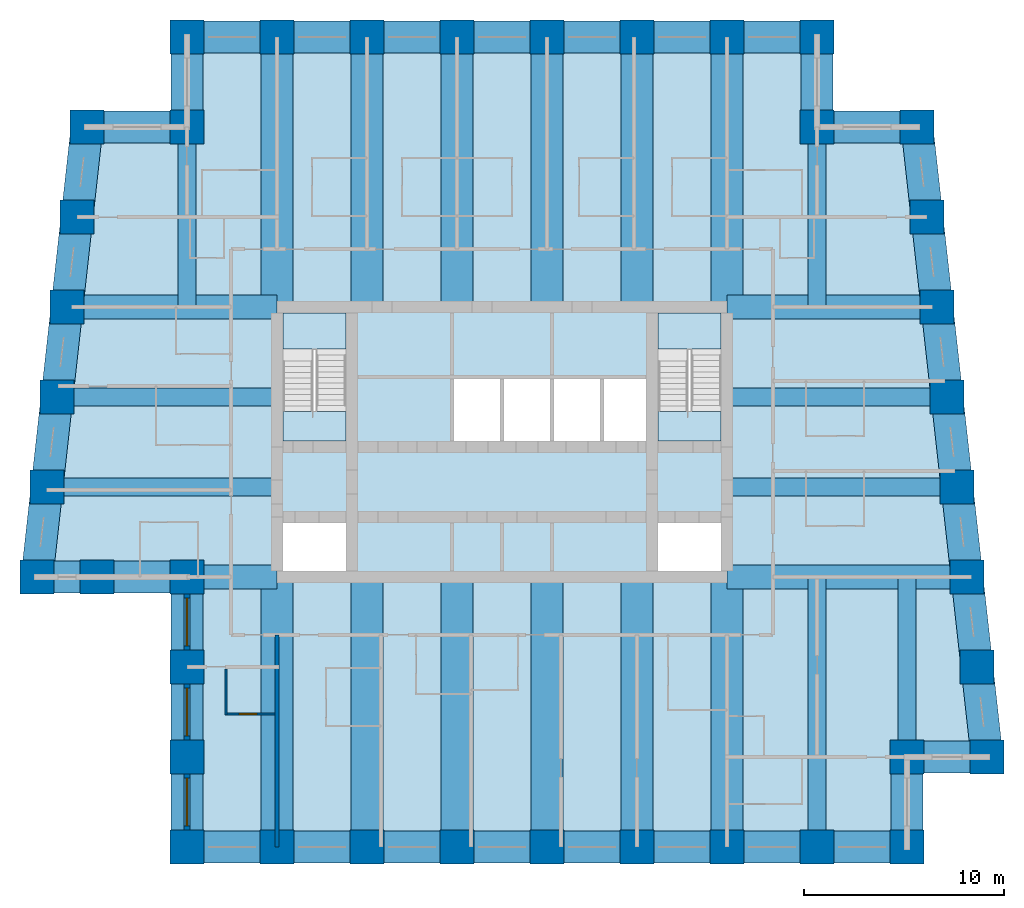
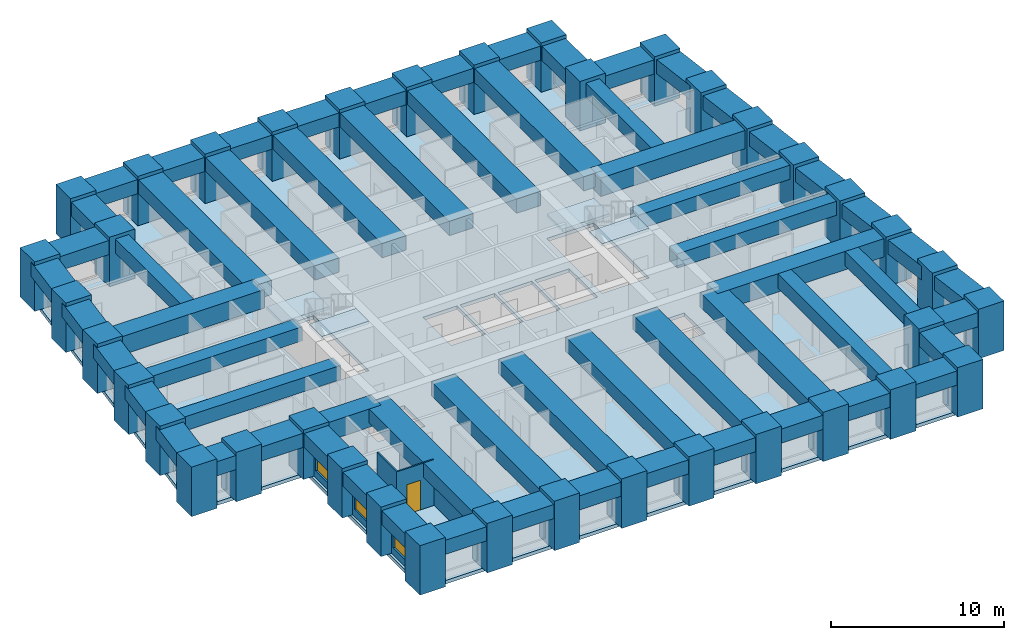
# One storey, part 1 of 8: 62 beams, 38 columns, 5 slabs, 4 walls, 3 windows, 1 door, 4 openings, 2 elements without a shape of their own.
"""IFC4 building model written with IfcOpenShell, lengths in metres."""

from ifc_helpers import new_model, si_unit, direction, frame, frame_2d, origin, origin_2d, place, context, subcontext, project, spatial, polyline, rectangle, outline, extrude, material, layer, layer_set, material_profile, profile_set, type_object, element, fill, aggregate, save


model = new_model("IFC4")

# Units and contexts
model_context = context("Model", 3, precision=1e-05, world=origin(), true_north=direction((0.0, 1.0)))
body_context = subcontext(model_context, "Body", "Model", "MODEL_VIEW")
ifc_project = project(units=[si_unit("LENGTHUNIT", "METRE"), si_unit("AREAUNIT", "SQUARE_METRE"), si_unit("VOLUMEUNIT", "CUBIC_METRE"), si_unit("PLANEANGLEUNIT", "RADIAN"), si_unit("MASSUNIT", "GRAM", prefix="KILO")], contexts=[model_context])

# Site, building, storey
site_placement = place(None, origin())
site = spatial("IfcSite", under=ifc_project, at=site_placement, CompositionType="ELEMENT")
building_placement = place(site_placement, origin())
building = spatial("IfcBuilding", under=site, at=building_placement, Name="Kilele Tower Hotel", CompositionType="ELEMENT")
storey_placement = place(building_placement, frame((0.0, 0.0, 190.39990234375)))
storey = spatial("IfcBuildingStorey", under=building, at=storey_placement, Name="L49", CompositionType="ELEMENT", Elevation=190.39990234375)

# Columns
ifc_material_1 = material(Name="Concrete C60/75", Category="concrete")
ifc_material_profile_1 = material_profile(ifc_material_1, rectangle(XDim=1.699951171875, YDim=1.699951171875, at=origin_2d()))
ifc_profile_set_1 = profile_set([ifc_material_profile_1], Name="Concrete C60/75")
column_type = type_object("IfcColumnType", Name="Tube column RC 1700x1700 C60/75", PredefinedType="COLUMN", material=ifc_profile_set_1)
for number, where, z_axis, x_axis, name in (
    (1, (1.5, 13.5, 0.0), (0.0, 0.0, 1.0), (1.0, 0.0, 0.0), "Column TC4 L49"),
    (2, (4.5, 13.5, 0.0), (0.0, 0.0, 1.0), (1.0, 0.0, 0.0), "Column TC4 L49"),
    (3, (9.0, 13.5, 0.0), (0.0, 0.0, 1.0), (1.0, 0.0, 0.0), "Column TC4 L49"),
    (4, (9.0, 9.0, 0.0), (0.0, 0.0, 1.0), (1.0, 0.0, 0.0), "Column TC4 L49"),
    (5, (9.0, 4.5, 0.0), (0.0, 0.0, 1.0), (1.0, 0.0, 0.0), "Column TC4 L49"),
    (6, (9.0, 0.0, 0.0), (0.0, 0.0, 1.0), (1.0, 0.0, 0.0), "Column TC4 L49"),
    (7, (13.5, 0.0, 0.0), (0.0, 0.0, 1.0), (1.0, 0.0, 0.0), "Column TC4 L49"),
    (8, (18.0, 0.0, 0.0), (0.0, 0.0, 1.0), (1.0, 0.0, 0.0), "Column TC4 L49"),
    (9, (22.5, 0.0, 0.0), (0.0, 0.0, 1.0), (1.0, 0.0, 0.0), "Column TC4 L49"),
    (10, (27.0, 0.0, 0.0), (0.0, 0.0, 1.0), (1.0, 0.0, 0.0), "Column TC4 L49"),
    (11, (31.5, 0.0, 0.0), (0.0, 0.0, 1.0), (1.0, 0.0, 0.0), "Column TC4 L49"),
    (12, (36.0, 0.0, 0.0), (0.0, 0.0, 1.0), (1.0, 0.0, 0.0), "Column TC4 L49"),
    (13, (40.5, 0.0, 0.0), (0.0, 0.0, 1.0), (1.0, 0.0, 0.0), "Column TC4 L49"),
    (14, (45.0, 0.0, 0.0), (0.0, 0.0, 1.0), (1.0, 0.0, 0.0), "Column TC4 L49"),
    (15, (45.0, 4.5, 0.0), (0.0, 0.0, 1.0), (1.0, 0.0, 0.0), "Column TC4 L49"),
    (16, (49.0, 4.5, 0.0), (0.0, 0.0, 1.0), (1.0, 0.0, 0.0), "Column TC4 L49"),
    (17, (48.5, 9.0, 0.0), (0.0, 0.0, 1.0), (1.0, 0.0, 0.0), "Column TC4 L49"),
    (18, (48.0, 13.5, 0.0), (0.0, 0.0, 1.0), (1.0, 0.0, 0.0), "Column TC4 L49"),
    (19, (47.5, 18.0, 0.0), (0.0, 0.0, 1.0), (1.0, 0.0, 0.0), "Column TC4 L49"),
    (20, (47.0, 22.5, 0.0), (0.0, 0.0, 1.0), (1.0, 0.0, 0.0), "Column TC4 L49"),
    (21, (46.5, 27.0, 0.0), (0.0, 0.0, 1.0), (1.0, 0.0, 0.0), "Column TC4 L49"),
    (22, (46.0, 31.5, 0.0), (0.0, 0.0, 1.0), (1.0, 0.0, 0.0), "Column TC4 L49"),
    (23, (45.5, 36.0, 0.0), (0.0, 0.0, 1.0), (1.0, 0.0, 0.0), "Column TC4 L49"),
    (24, (40.5, 36.0, 0.0), (0.0, 0.0, 1.0), (1.0, 0.0, 0.0), "Column TC4 L49"),
    (25, (40.5, 40.5, 0.0), (0.0, 0.0, 1.0), (1.0, 0.0, 0.0), "Column TC4 L49"),
    (26, (36.0, 40.5, 0.0), (0.0, 0.0, 1.0), (1.0, 0.0, 0.0), "Column TC4 L49"),
    (27, (31.5, 40.5, 0.0), (0.0, 0.0, 1.0), (1.0, 0.0, 0.0), "Column TC4 L49"),
    (28, (27.0, 40.5, 0.0), (0.0, 0.0, 1.0), (1.0, 0.0, 0.0), "Column TC4 L49"),
    (29, (22.5, 40.5, 0.0), (0.0, 0.0, 1.0), (1.0, 0.0, 0.0), "Column TC4 L49"),
    (30, (18.0, 40.5, 0.0), (0.0, 0.0, 1.0), (1.0, 0.0, 0.0), "Column TC4 L49"),
    (31, (13.5, 40.5, 0.0), (0.0, 0.0, 1.0), (1.0, 0.0, 0.0), "Column TC4 L49"),
    (32, (9.0, 40.5, 0.0), (0.0, 0.0, 1.0), (1.0, 0.0, 0.0), "Column TC4 L49"),
    (33, (9.0, 36.0, 0.0), (0.0, 0.0, 1.0), (1.0, 0.0, 0.0), "Column TC4 L49"),
    (34, (4.0, 36.0, 0.0), (0.0, 0.0, 1.0), (1.0, 0.0, 0.0), "Column TC4 L49"),
    (35, (3.5, 31.5, 0.0), (0.0, 0.0, 1.0), (1.0, 0.0, 0.0), "Column TC4 L49"),
    (36, (3.0, 27.0, 0.0), (0.0, 0.0, 1.0), (1.0, 0.0, 0.0), "Column TC4 L49"),
    (37, (2.5, 22.5, 0.0), (0.0, 0.0, 1.0), (1.0, 0.0, 0.0), "Column TC4 L49"),
    (38, (2.0, 18.0, 0.0), (0.0, 0.0, 1.0), (1.0, 0.0, 0.0), "Column TC4 L49"),
):
    element("IfcColumn", number, at=place(storey_placement, frame(where, z_axis=z_axis, x_axis=x_axis)), inside=storey, type_object=column_type, Name=name, PredefinedType="COLUMN", context=body_context, shape_type="SweptSolid", body=[
        extrude(rectangle(XDim=1.699951171875, YDim=1.699951171875, at=origin_2d()), origin(), (0.0, 0.0, 1.0), 3.5),
    ])

# Beams
ifc_material_2 = material(Name="Concrete C60/75", Category="concrete")
ifc_material_profile_2 = material_profile(ifc_material_2, rectangle(XDim=1.60009765625, YDim=1.0, at=origin_2d()))
ifc_profile_set_2 = profile_set([ifc_material_profile_2], Name="Concrete C60/75")
beam_type_1 = type_object("IfcBeamType", Name="Beam RC 1600x1000 C60/75", PredefinedType="BEAM", material=ifc_profile_set_2)
for number, where, z_axis, x_axis, name in (
    (39, (13.5, 0.0, 2.75), (0.0, 1.0, 0.0), (-1.0, 0.0, 0.0), "Beam BC1 level L50"),
    (40, (18.0, 0.0, 2.75), (0.0, 1.0, 0.0), (-1.0, 0.0, 0.0), "Beam BC1 level L50"),
    (41, (22.5, 0.0, 2.75), (0.0, 1.0, 0.0), (-1.0, 0.0, 0.0), "Beam BC1 level L50"),
    (42, (27.0, 0.0, 2.75), (0.0, 1.0, 0.0), (-1.0, 0.0, 0.0), "Beam BC1 level L50"),
    (43, (31.5, 0.0, 2.75), (0.0, 1.0, 0.0), (-1.0, 0.0, 0.0), "Beam BC1 level L50"),
    (44, (36.0, 0.0, 2.75), (0.0, 1.0, 0.0), (-1.0, 0.0, 0.0), "Beam BC1 level L50"),
    (45, (36.0, 40.5, 2.75), (0.0, -1.0, 0.0), (1.0, 0.0, 0.0), "Beam BC1 level L50"),
    (46, (31.5, 40.5, 2.75), (0.0, -1.0, 0.0), (1.0, 0.0, 0.0), "Beam BC1 level L50"),
    (47, (27.0, 40.5, 2.75), (0.0, -1.0, 0.0), (1.0, 0.0, 0.0), "Beam BC1 level L50"),
    (48, (22.5, 40.5, 2.75), (0.0, -1.0, 0.0), (1.0, 0.0, 0.0), "Beam BC1 level L50"),
    (49, (18.0, 40.5, 2.75), (0.0, -1.0, 0.0), (1.0, 0.0, 0.0), "Beam BC1 level L50"),
    (50, (13.5, 40.5, 2.75), (0.0, -1.0, 0.0), (1.0, 0.0, 0.0), "Beam BC1 level L50"),
):
    element("IfcBeam", number, at=place(storey_placement, frame(where, z_axis=z_axis, x_axis=x_axis)), inside=storey, type_object=beam_type_1, Name=name, PredefinedType="BEAM", context=body_context, shape_type="SweptSolid", body=[
        extrude(rectangle(XDim=1.60009765625, YDim=1.0, at=origin_2d()), origin(), (0.0, 0.0, 1.0), 13.5),
    ])
ifc_material_3 = material(Name="Concrete C60/75", Category="concrete")
ifc_material_profile_3 = material_profile(ifc_material_3, rectangle(XDim=0.89990234375, YDim=1.0, at=origin_2d()))
ifc_profile_set_3 = profile_set([ifc_material_profile_3], Name="Concrete C60/75")
beam_type_2 = type_object("IfcBeamType", Name="Beam RC 900x1000 C60/75", PredefinedType="BEAM", material=ifc_profile_set_3)
beam_1_placement = place(storey_placement, frame((40.5, 0.0, 2.75), z_axis=(0.0, 1.0, 0.0), x_axis=(-1.0, 0.0, 0.0)))
element("IfcBeam", 51, at=beam_1_placement, inside=storey, type_object=beam_type_2, Name="Beam B8 level L50", PredefinedType="BEAM", context=body_context, shape_type="SweptSolid", body=[
    extrude(rectangle(XDim=0.89990234375, YDim=1.0, at=origin_2d()), origin(), (0.0, 0.0, 1.0), 13.5),
])
beam_2_placement = place(storey_placement, frame((45.0, 4.5, 2.75), z_axis=(0.0, 1.0, 0.0), x_axis=(-1.0, 0.0, 0.0)))
element("IfcBeam", 52, at=beam_2_placement, inside=storey, type_object=beam_type_2, Name="Beam B8 level L50", PredefinedType="BEAM", context=body_context, shape_type="SweptSolid", body=[
    extrude(rectangle(XDim=0.89990234375, YDim=1.0, at=origin_2d()), origin(), (0.0, 0.0, 1.0), 9.0),
])
beam_3_placement = place(storey_placement, frame((47.5, 18.0, 2.75), z_axis=(-1.0, 0.0, 0.0), x_axis=(0.0, -1.0, 0.0)))
element("IfcBeam", 53, at=beam_3_placement, inside=storey, type_object=beam_type_2, Name="Beam B8 level L50", PredefinedType="BEAM", context=body_context, shape_type="SweptSolid", body=[
    extrude(rectangle(XDim=0.89990234375, YDim=1.0, at=origin_2d()), origin(), (0.0, 0.0, 1.0), 11.5),
])
beam_4_placement = place(storey_placement, frame((47.0, 22.5, 2.75), z_axis=(-1.0, 0.0, 0.0), x_axis=(0.0, -1.0, 0.0)))
element("IfcBeam", 54, at=beam_4_placement, inside=storey, type_object=beam_type_2, Name="Beam B8 level L50", PredefinedType="BEAM", context=body_context, shape_type="SweptSolid", body=[
    extrude(rectangle(XDim=0.89990234375, YDim=1.0, at=origin_2d()), origin(), (0.0, 0.0, 1.0), 11.0),
])
for number, where, z_axis, x_axis, name in (
    (55, (40.5, 36.0, 2.75), (0.0, -1.0, 0.0), (1.0, 0.0, 0.0), "Beam B8 level L50"),
    (56, (9.0, 36.0, 2.75), (0.0, -1.0, 0.0), (1.0, 0.0, 0.0), "Beam B8 level L50"),
):
    element("IfcBeam", number, at=place(storey_placement, frame(where, z_axis=z_axis, x_axis=x_axis)), inside=storey, type_object=beam_type_2, Name=name, PredefinedType="BEAM", context=body_context, shape_type="SweptSolid", body=[
        extrude(rectangle(XDim=0.89990234375, YDim=1.0, at=origin_2d()), origin(), (0.0, 0.0, 1.0), 9.0),
    ])
beam_5_placement = place(storey_placement, frame((2.5, 22.5, 2.75), z_axis=(1.0, 0.0, 0.0), x_axis=(0.0, 1.0, 0.0)))
element("IfcBeam", 57, at=beam_5_placement, inside=storey, type_object=beam_type_2, Name="Beam B8 level L50", PredefinedType="BEAM", context=body_context, shape_type="SweptSolid", body=[
    extrude(rectangle(XDim=0.89990234375, YDim=1.0, at=origin_2d()), origin(), (0.0, 0.0, 1.0), 11.0),
])
beam_6_placement = place(storey_placement, frame((2.0, 18.0, 2.75), z_axis=(1.0, 0.0, 0.0), x_axis=(0.0, 1.0, 0.0)))
element("IfcBeam", 58, at=beam_6_placement, inside=storey, type_object=beam_type_2, Name="Beam B8 level L50", PredefinedType="BEAM", context=body_context, shape_type="SweptSolid", body=[
    extrude(rectangle(XDim=0.89990234375, YDim=1.0, at=origin_2d()), origin(), (0.0, 0.0, 1.0), 11.5),
])
ifc_material_4 = material(Name="Concrete C60/75", Category="concrete")
ifc_material_profile_4 = material_profile(ifc_material_4, rectangle(XDim=1.199951171875, YDim=1.300048828125, at=origin_2d()))
ifc_profile_set_4 = profile_set([ifc_material_profile_4], Name="Concrete C60/75")
beam_type_3 = type_object("IfcBeamType", Name="Girder RC 1200x1300 C60/75", PredefinedType="BEAM", material=ifc_profile_set_4)
beam_7_placement = place(storey_placement, frame((48.0, 13.5, 2.60009765625), z_axis=(-1.0, 0.0, 0.0), x_axis=(0.0, -1.0, 0.0)))
element("IfcBeam", 59, at=beam_7_placement, inside=storey, type_object=beam_type_3, Name="Girder G1 level L50", PredefinedType="BEAM", context=body_context, shape_type="SweptSolid", body=[
    extrude(rectangle(XDim=1.199951171875, YDim=1.300048828125, at=origin_2d()), origin(), (0.0, 0.0, 1.0), 12.0),
])
ifc_material_5 = material(Name="Concrete C60/75", Category="concrete")
ifc_material_profile_5 = material_profile(ifc_material_5, rectangle(XDim=1.199951171875, YDim=1.300048828125, at=origin_2d()))
ifc_profile_set_5 = profile_set([ifc_material_profile_5], Name="Concrete C60/75")
beam_type_4 = type_object("IfcBeamType", Name="Girder RC 1200x1300 C60/75 mid span", PredefinedType="BEAM", material=ifc_profile_set_5)
for number, where, z_axis, x_axis, name in (
    (60, (46.5, 27.0, 2.60009765625), (-1.0, 0.0, 0.0), (0.0, -1.0, 0.0), "Girder G3 level L50"),
    (61, (3.0, 27.0, 2.60009765625), (1.0, 0.0, 0.0), (0.0, 1.0, 0.0), "Girder G3 level L50"),
):
    element("IfcBeam", number, at=place(storey_placement, frame(where, z_axis=z_axis, x_axis=x_axis)), inside=storey, type_object=beam_type_4, Name=name, PredefinedType="BEAM", context=body_context, shape_type="SweptSolid", body=[
        extrude(rectangle(XDim=1.199951171875, YDim=1.300048828125, at=origin_2d()), origin(), (0.0, 0.0, 1.0), 10.5),
    ])
ifc_material_6 = material(Name="Concrete C60/75", Category="concrete")
ifc_material_profile_6 = material_profile(ifc_material_6, rectangle(XDim=1.199951171875, YDim=1.300048828125, at=origin_2d()))
ifc_profile_set_6 = profile_set([ifc_material_profile_6], Name="Concrete C60/75")
beam_type_5 = type_object("IfcBeamType", Name="Girder RC 1200x1300 C60/75 short span", PredefinedType="BEAM", material=ifc_profile_set_6)
beam_8_placement = place(storey_placement, frame((9.0, 13.5, 2.60009765625), z_axis=(1.0, 0.0, 0.0), x_axis=(0.0, 1.0, 0.0)))
element("IfcBeam", 62, at=beam_8_placement, inside=storey, type_object=beam_type_5, Name="Girder G5 level L50", PredefinedType="BEAM", context=body_context, shape_type="SweptSolid", body=[
    extrude(rectangle(XDim=1.199951171875, YDim=1.300048828125, at=origin_2d()), origin(), (0.0, 0.0, 1.0), 4.5),
])
ifc_material_7 = material(Name="Concrete C60/75", Category="concrete")
ifc_material_profile_7 = material_profile(ifc_material_7, rectangle(XDim=1.60009765625, YDim=1.0, at=origin_2d()))
ifc_profile_set_7 = profile_set([ifc_material_profile_7], Name="Concrete C60/75")
beam_type_6 = type_object("IfcBeamType", Name="Spandrel RC 1600x1000 C60/75", PredefinedType="SPANDREL", material=ifc_profile_set_7)
beam_9_placement = place(storey_placement, frame((1.5, 13.5, 2.75), z_axis=(1.0, 0.0, 0.0), x_axis=(0.0, 1.0, 0.0)))
element("IfcBeam", 63, at=beam_9_placement, inside=storey, type_object=beam_type_6, Name="Spandrel SP2 level L50", PredefinedType="SPANDREL", context=body_context, shape_type="SweptSolid", body=[
    extrude(rectangle(XDim=1.60009765625, YDim=1.0, at=origin_2d()), origin(), (0.0, 0.0, 1.0), 3.0),
])
for number, where, z_axis, x_axis, name in (
    (64, (4.5, 13.5, 2.75), (1.0, 0.0, 0.0), (0.0, 1.0, 0.0), "Spandrel SP2 level L50"),
    (65, (9.0, 13.5, 2.75), (0.0, -1.0, 0.0), (1.0, 0.0, 0.0), "Spandrel SP2 level L50"),
    (66, (9.0, 9.0, 2.75), (0.0, -1.0, 0.0), (1.0, 0.0, 0.0), "Spandrel SP2 level L50"),
    (67, (9.0, 4.5, 2.75), (0.0, -1.0, 0.0), (1.0, 0.0, 0.0), "Spandrel SP2 level L50"),
    (68, (9.0, 0.0, 2.75), (1.0, 0.0, 0.0), (0.0, 1.0, 0.0), "Spandrel SP2 level L50"),
    (69, (13.5, 0.0, 2.75), (1.0, 0.0, 0.0), (0.0, 1.0, 0.0), "Spandrel SP2 level L50"),
    (70, (18.0, 0.0, 2.75), (1.0, 0.0, 0.0), (0.0, 1.0, 0.0), "Spandrel SP2 level L50"),
    (71, (22.5, 0.0, 2.75), (1.0, 0.0, 0.0), (0.0, 1.0, 0.0), "Spandrel SP2 level L50"),
    (72, (27.0, 0.0, 2.75), (1.0, 0.0, 0.0), (0.0, 1.0, 0.0), "Spandrel SP2 level L50"),
    (73, (31.5, 0.0, 2.75), (1.0, 0.0, 0.0), (0.0, 1.0, 0.0), "Spandrel SP2 level L50"),
    (74, (36.0, 0.0, 2.75), (1.0, 0.0, 0.0), (0.0, 1.0, 0.0), "Spandrel SP2 level L50"),
    (75, (40.5, 0.0, 2.75), (1.0, 0.0, 0.0), (0.0, 1.0, 0.0), "Spandrel SP2 level L50"),
    (76, (45.0, 0.0, 2.75), (0.0, 1.0, 0.0), (-1.0, 0.0, 0.0), "Spandrel SP2 level L50"),
):
    element("IfcBeam", number, at=place(storey_placement, frame(where, z_axis=z_axis, x_axis=x_axis)), inside=storey, type_object=beam_type_6, Name=name, PredefinedType="SPANDREL", context=body_context, shape_type="SweptSolid", body=[
        extrude(rectangle(XDim=1.60009765625, YDim=1.0, at=origin_2d()), origin(), (0.0, 0.0, 1.0), 4.5),
    ])
beam_10_placement = place(storey_placement, frame((45.0, 4.5, 2.75), z_axis=(1.0, 0.0, 0.0), x_axis=(0.0, 1.0, 0.0)))
element("IfcBeam", 77, at=beam_10_placement, inside=storey, type_object=beam_type_6, Name="Spandrel SP2 level L50", PredefinedType="SPANDREL", context=body_context, shape_type="SweptSolid", body=[
    extrude(rectangle(XDim=1.60009765625, YDim=1.0, at=origin_2d()), origin(), (0.0, 0.0, 1.0), 4.0),
])
for number, where, z_axis, x_axis, name in (
    (78, (49.0, 4.5, 2.75), (-0.110431526075, 0.993883734674, 0.0), (-0.993883734674, -0.110431526075, 0.0), "Spandrel SP2 level L50"),
    (79, (48.5, 9.0, 2.75), (-0.110431526075, 0.993883734674, 0.0), (-0.993883734674, -0.110431526075, 0.0), "Spandrel SP2 level L50"),
    (80, (48.0, 13.5, 2.75), (-0.110431526075, 0.993883734674, 0.0), (-0.993883734674, -0.110431526075, 0.0), "Spandrel SP2 level L50"),
    (81, (47.5, 18.0, 2.75), (-0.110431526075, 0.993883734674, 0.0), (-0.993883734674, -0.110431526075, 0.0), "Spandrel SP2 level L50"),
    (82, (47.0, 22.5, 2.75), (-0.110431526075, 0.993883734674, 0.0), (-0.993883734674, -0.110431526075, 0.0), "Spandrel SP2 level L50"),
    (83, (46.5, 27.0, 2.75), (-0.110431526075, 0.993883734674, 0.0), (-0.993883734674, -0.110431526075, 0.0), "Spandrel SP2 level L50"),
    (84, (46.0, 31.5, 2.75), (-0.110431526075, 0.993883734674, 0.0), (-0.993883734674, -0.110431526075, 0.0), "Spandrel SP2 level L50"),
):
    element("IfcBeam", number, at=place(storey_placement, frame(where, z_axis=z_axis, x_axis=x_axis)), inside=storey, type_object=beam_type_6, Name=name, PredefinedType="SPANDREL", context=body_context, shape_type="SweptSolid", body=[
        extrude(rectangle(XDim=1.60009765625, YDim=1.0, at=origin_2d()), origin(), (0.0, 0.0, 1.0), 4.527587890625),
    ])
beam_11_placement = place(storey_placement, frame((45.5, 36.0, 2.75), z_axis=(-1.0, 0.0, 0.0), x_axis=(0.0, -1.0, 0.0)))
element("IfcBeam", 85, at=beam_11_placement, inside=storey, type_object=beam_type_6, Name="Spandrel SP2 level L50", PredefinedType="SPANDREL", context=body_context, shape_type="SweptSolid", body=[
    extrude(rectangle(XDim=1.60009765625, YDim=1.0, at=origin_2d()), origin(), (0.0, 0.0, 1.0), 5.0),
])
for number, where, z_axis, x_axis, name in (
    (86, (40.5, 36.0, 2.75), (0.0, 1.0, 0.0), (-1.0, 0.0, 0.0), "Spandrel SP2 level L50"),
    (87, (40.5, 40.5, 2.75), (-1.0, 0.0, 0.0), (0.0, -1.0, 0.0), "Spandrel SP2 level L50"),
    (88, (36.0, 40.5, 2.75), (-1.0, 0.0, 0.0), (0.0, -1.0, 0.0), "Spandrel SP2 level L50"),
    (89, (31.5, 40.5, 2.75), (-1.0, 0.0, 0.0), (0.0, -1.0, 0.0), "Spandrel SP2 level L50"),
    (90, (27.0, 40.5, 2.75), (-1.0, 0.0, 0.0), (0.0, -1.0, 0.0), "Spandrel SP2 level L50"),
    (91, (22.5, 40.5, 2.75), (-1.0, 0.0, 0.0), (0.0, -1.0, 0.0), "Spandrel SP2 level L50"),
    (92, (18.0, 40.5, 2.75), (-1.0, 0.0, 0.0), (0.0, -1.0, 0.0), "Spandrel SP2 level L50"),
    (93, (13.5, 40.5, 2.75), (-1.0, 0.0, 0.0), (0.0, -1.0, 0.0), "Spandrel SP2 level L50"),
    (94, (9.0, 40.5, 2.75), (0.0, -1.0, 0.0), (1.0, 0.0, 0.0), "Spandrel SP2 level L50"),
):
    element("IfcBeam", number, at=place(storey_placement, frame(where, z_axis=z_axis, x_axis=x_axis)), inside=storey, type_object=beam_type_6, Name=name, PredefinedType="SPANDREL", context=body_context, shape_type="SweptSolid", body=[
        extrude(rectangle(XDim=1.60009765625, YDim=1.0, at=origin_2d()), origin(), (0.0, 0.0, 1.0), 4.5),
    ])
beam_12_placement = place(storey_placement, frame((9.0, 36.0, 2.75), z_axis=(-1.0, 0.0, 0.0), x_axis=(0.0, -1.0, 0.0)))
element("IfcBeam", 95, at=beam_12_placement, inside=storey, type_object=beam_type_6, Name="Spandrel SP2 level L50", PredefinedType="SPANDREL", context=body_context, shape_type="SweptSolid", body=[
    extrude(rectangle(XDim=1.60009765625, YDim=1.0, at=origin_2d()), origin(), (0.0, 0.0, 1.0), 5.0),
])
for number, where, z_axis, x_axis, name in (
    (96, (4.0, 36.0, 2.75), (-0.110431526075, -0.993883734674, 0.0), (0.993883734674, -0.110431526075, 0.0), "Spandrel SP2 level L50"),
    (97, (3.5, 31.5, 2.75), (-0.110431526075, -0.993883734674, 0.0), (0.993883734674, -0.110431526075, 0.0), "Spandrel SP2 level L50"),
    (98, (3.0, 27.0, 2.75), (-0.110431526075, -0.993883734674, 0.0), (0.993883734674, -0.110431526075, 0.0), "Spandrel SP2 level L50"),
    (99, (2.5, 22.5, 2.75), (-0.110431526075, -0.993883734674, 0.0), (0.993883734674, -0.110431526075, 0.0), "Spandrel SP2 level L50"),
    (100, (2.0, 18.0, 2.75), (-0.110431526075, -0.993883734674, 0.0), (0.993883734674, -0.110431526075, 0.0), "Spandrel SP2 level L50"),
):
    element("IfcBeam", number, at=place(storey_placement, frame(where, z_axis=z_axis, x_axis=x_axis)), inside=storey, type_object=beam_type_6, Name=name, PredefinedType="SPANDREL", context=body_context, shape_type="SweptSolid", body=[
        extrude(rectangle(XDim=1.60009765625, YDim=1.0, at=origin_2d()), origin(), (0.0, 0.0, 1.0), 4.527587890625),
    ])

# Slab
ifc_material_8 = material(Name="Concrete C60/75", Category="concrete")
ifc_layer_1 = layer(ifc_material_8, 0.25)
ifc_layer_set_1 = layer_set([ifc_layer_1], Name="Concrete C60/75")
slab_type_1 = type_object("IfcSlabType", Name="Floor slab 250", PredefinedType="FLOOR", material=ifc_layer_set_1)
slab_1_placement = place(storey_placement, frame((0.0, 0.0, -0.25)))
element("IfcSlab", 101, at=slab_1_placement, inside=storey, type_object=slab_type_1, Name="Floor slab L49", PredefinedType="FLOOR", context=body_context, shape_type="SweptSolid", body=[
    extrude(outline(polyline([(8.699951171875, 36.300048828125), (8.699951171875, 40.800048828125), (40.800048828125, 40.800048828125), (40.800048828125, 36.300048828125), (45.7685546875, 36.300048828125), (49.335205078125, 4.199951171875), (45.300048828125, 4.199951171875), (45.300048828125, -0.300048828125), (8.699951171875, -0.300048828125), (8.699951171875, 13.199951171875), (1.164794921875, 13.199951171875), (3.7314453125, 36.300048828125), (8.699951171875, 36.300048828125)]), holes=[polyline([(16.949951171875, 16.199951171875), (13.800048828125, 16.199951171875), (13.800048828125, 13.800048828125), (16.949951171875, 13.800048828125), (16.949951171875, 16.199951171875)]), polyline([(35.699951171875, 16.199951171875), (32.550048828125, 16.199951171875), (32.550048828125, 13.800048828125), (35.699951171875, 13.800048828125), (35.699951171875, 16.199951171875)]), polyline([(24.64990234375, 23.39990234375), (22.35009765625, 23.39990234375), (22.35009765625, 20.10009765625), (24.64990234375, 20.10009765625), (24.64990234375, 23.39990234375)]), polyline([(27.14990234375, 23.39990234375), (24.85009765625, 23.39990234375), (24.85009765625, 20.10009765625), (27.14990234375, 20.10009765625), (27.14990234375, 23.39990234375)]), polyline([(29.64990234375, 23.39990234375), (27.35009765625, 23.39990234375), (27.35009765625, 20.10009765625), (29.64990234375, 20.10009765625), (29.64990234375, 23.39990234375)]), polyline([(32.14990234375, 23.39990234375), (29.85009765625, 23.39990234375), (29.85009765625, 20.10009765625), (32.14990234375, 20.10009765625), (32.14990234375, 23.39990234375)]), polyline([(16.949951171875, 26.699951171875), (13.800048828125, 26.699951171875), (13.800048828125, 20.300048828125), (16.949951171875, 20.300048828125), (16.949951171875, 26.699951171875)]), polyline([(35.699951171875, 26.699951171875), (32.550048828125, 26.699951171875), (32.550048828125, 20.300048828125), (35.699951171875, 20.300048828125), (35.699951171875, 26.699951171875)])]), origin(), (0.0, 0.0, 1.0), 0.25),
])

# Stair, slabs
ifc_material_9 = material(Name="Precast concrete C40/50", Category="concrete")
stair_type = type_object("IfcStairType", Name="Stair 1475 x 3500", PredefinedType="HALF_TURN_STAIR", material=ifc_material_9)
stair_1_placement = place(storey_placement, origin())
stair_1 = element("IfcStair", 102, at=stair_1_placement, inside=storey, type_object=stair_type, Name="Stair 1 L49", PredefinedType="HALF_TURN_STAIR")
ifc_material_10 = material(Name="Precast concrete C40/50", Category="concrete")
ifc_layer_2 = layer(ifc_material_10, 0.199951171875)
ifc_layer_set_2 = layer_set([ifc_layer_2], Name="Precast concrete C40/50")
slab_type_2 = type_object("IfcSlabType", Name="Stair landing 200", PredefinedType="LANDING", material=ifc_layer_set_2)
slab_2_placement = place(storey_placement, frame((0.0, 0.0, 1.550048828125)))
slab_2 = element("IfcSlab", 103, at=slab_2_placement, type_object=slab_type_2, Name="ST1 landing 1", PredefinedType="LANDING", context=body_context, shape_type="SweptSolid", body=[
    extrude(outline(polyline([(13.800048828125, 24.89501953125), (16.949951171875, 24.89501953125), (16.949951171875, 26.699951171875), (13.800048828125, 26.699951171875), (13.800048828125, 24.89501953125)])), origin(), (0.0, 0.0, 1.0), 0.199951171875),
])
slab_3_placement = place(storey_placement, frame((0.0, 0.0, 3.300048828125)))
slab_3 = element("IfcSlab", 104, at=slab_3_placement, type_object=slab_type_2, Name="ST1 landing 2", PredefinedType="LANDING", context=body_context, shape_type="SweptSolid", body=[
    extrude(outline(polyline([(13.800048828125, 20.300048828125), (16.949951171875, 20.300048828125), (16.949951171875, 21.77490234375), (13.800048828125, 21.77490234375), (13.800048828125, 20.300048828125)])), origin(), (0.0, 0.0, 1.0), 0.199951171875),
])
aggregate(stair_1, [slab_2, slab_3])

stair_2_placement = place(storey_placement, origin())
stair_2 = element("IfcStair", 105, at=stair_2_placement, inside=storey, type_object=stair_type, Name="Stair 2 L49", PredefinedType="HALF_TURN_STAIR")
slab_4_placement = place(storey_placement, frame((0.0, 0.0, 1.550048828125)))
slab_4 = element("IfcSlab", 106, at=slab_4_placement, type_object=slab_type_2, Name="ST2 landing 1", PredefinedType="LANDING", context=body_context, shape_type="SweptSolid", body=[
    extrude(outline(polyline([(32.550048828125, 24.89501953125), (35.699951171875, 24.89501953125), (35.699951171875, 26.699951171875), (32.550048828125, 26.699951171875), (32.550048828125, 24.89501953125)])), origin(), (0.0, 0.0, 1.0), 0.199951171875),
])
slab_5_placement = place(storey_placement, frame((0.0, 0.0, 3.300048828125)))
slab_5 = element("IfcSlab", 107, at=slab_5_placement, type_object=slab_type_2, Name="ST2 landing 2", PredefinedType="LANDING", context=body_context, shape_type="SweptSolid", body=[
    extrude(outline(polyline([(32.550048828125, 20.300048828125), (35.699951171875, 20.300048828125), (35.699951171875, 21.77490234375), (32.550048828125, 21.77490234375), (32.550048828125, 20.300048828125)])), origin(), (0.0, 0.0, 1.0), 0.199951171875),
])
aggregate(stair_2, [slab_4, slab_5])

# Wall
ifc_material_11 = material(Name="Moisture-resistant board")
ifc_layer_3 = layer(ifc_material_11, 0.10009765625)
ifc_layer_set_3 = layer_set([ifc_layer_3], Name="Moisture-resistant board")
wall_type_1 = type_object("IfcWallType", Name="Bathroom partition 100", PredefinedType="PLUMBINGWALL", material=ifc_layer_set_3)
wall_1_placement = place(storey_placement, frame((10.949951171875, 8.89990234375, 0.0), z_axis=(0.0, 0.0, 1.0), x_axis=(0.0, -1.0, 0.0)))
element("IfcWall", 108, at=wall_1_placement, inside=storey, type_object=wall_type_1, Name="Bathroom partition 100 L49", PredefinedType="PLUMBINGWALL", context=body_context, shape_type="SweptSolid", body=[
    extrude(rectangle(XDim=2.2998046875, YDim=0.10009765625, at=frame_2d((1.14990234375, 0.0))), origin(), (0.0, 0.0, 1.0), 3.25),
])

# Wall, opening, door
wall_2_placement = place(storey_placement, frame((13.39990234375, 6.64990234375, 0.0), z_axis=(0.0, 0.0, 1.0), x_axis=(-1.0, 0.0, 0.0)))
wall_2 = element("IfcWall", 109, at=wall_2_placement, inside=storey, type_object=wall_type_1, Name="Bathroom partition 100 L49", PredefinedType="PLUMBINGWALL", context=body_context, shape_type="SweptSolid", body=[
    extrude(rectangle(XDim=2.5, YDim=0.10009765625, at=frame_2d((1.25, 0.0))), origin(), (0.0, 0.0, 1.0), 3.25),
])
opening_1_placement = place(wall_2_placement, frame((0.89990234375, 0.0, 0.0)))
opening_1 = element("IfcOpeningElement", 110, at=opening_1_placement, cuts=wall_2, Name="Opening D2A", PredefinedType="OPENING", context=body_context, shape_type="SweptSolid", body=[
    extrude(rectangle(XDim=0.89990234375, YDim=2.10009765625, at=frame_2d((0.449951171875, 1.050048828125))), frame((0.0, 0.06005859375, 0.0), z_axis=(0.0, -1.0, 0.0), x_axis=(1.0, 0.0, 0.0)), (0.0, 0.0, 1.0), 0.1201171875),
])
ifc_material_12 = material(Name="Timber door leaf in hardwood frame", Category="wood")
door_type = type_object("IfcDoorType", Name="Bathroom door 900", OperationType="SINGLE_SWING_LEFT", PredefinedType="DOOR", material=ifc_material_12)
door_placement = place(opening_1_placement, origin())
door = element("IfcDoor", 111, at=door_placement, inside=storey, type_object=door_type, Name="Bathroom door 4918B", OperationType="SINGLE_SWING_LEFT", OverallHeight=2.10009765625, OverallWidth=0.89990234375, PredefinedType="DOOR", context=body_context, shape_type="SweptSolid", body=[
    extrude(rectangle(XDim=0.89990234375, YDim=2.10009765625, at=frame_2d((0.449951171875, 1.050048828125))), frame((0.0, 0.02490234375, 0.0), z_axis=(0.0, -1.0, 0.0), x_axis=(1.0, 0.0, 0.0)), (0.0, 0.0, 1.0), 0.050048828125),
])
fill(opening_1, door)

# Wall
ifc_material_13 = material(Name="Blockwork, plastered both sides", Category="masonry")
ifc_layer_4 = layer(ifc_material_13, 0.199951171875)
ifc_layer_set_4 = layer_set([ifc_layer_4], Name="Blockwork, plastered both sides")
wall_type_2 = type_object("IfcWallType", Name="Party wall 200", PredefinedType="PARTITIONING", material=ifc_layer_set_4)
wall_3_placement = place(storey_placement, frame((13.5, 10.60009765625, 0.0), z_axis=(0.0, 0.0, 1.0), x_axis=(0.0, -1.0, 0.0)))
element("IfcWall", 112, at=wall_3_placement, inside=storey, type_object=wall_type_2, Name="Party wall 200 L49", PredefinedType="PARTITIONING", context=body_context, shape_type="SweptSolid", body=[
    extrude(rectangle(XDim=10.60009765625, YDim=0.199951171875, at=frame_2d((5.300048828125, 0.0))), origin(), (0.0, 0.0, 1.0), 2.25),
])

# Wall, openings, windows
ifc_material_14 = material(Name="Concrete C40/50 precast", Category="concrete")
ifc_layer_5 = layer(ifc_material_14, 0.260009765625, Name="Precast backing", Category="LoadBearing")
ifc_material_15 = material(Name="Reconstituted stone finish", Category="masonry")
ifc_layer_6 = layer(ifc_material_15, 0.0400390625, Name="Face mix", Category="Finish")
ifc_layer_set_5 = layer_set([ifc_layer_5, ifc_layer_6], Name="Precast concrete C40/50, reconstituted stone finish")
wall_type_3 = type_object("IfcWallType", Name="Precast stone facade wall 300", PredefinedType="STANDARD", material=ifc_layer_set_5)
wall_4_placement = place(storey_placement, frame((9.0, 13.64990234375, 0.0), z_axis=(0.0, 0.0, 1.0), x_axis=(0.0, -1.0, 0.0)))
wall_4 = element("IfcWall", 113, at=wall_4_placement, inside=storey, type_object=wall_type_3, Name="Facade wall L49 edge 2", PredefinedType="STANDARD", context=body_context, shape_type="SweptSolid", body=[
    extrude(rectangle(XDim=13.7998046875, YDim=0.300048828125, at=frame_2d((6.89990234375, 0.0))), origin(), (0.0, 0.0, 1.0), 2.25),
])
opening_2_placement = place(wall_4_placement, frame((1.199951171875, 0.0, 0.5)))
opening_2 = element("IfcOpeningElement", 114, at=opening_2_placement, cuts=wall_4, Name="Opening W3", PredefinedType="OPENING", context=body_context, shape_type="SweptSolid", body=[
    extrude(rectangle(XDim=2.39990234375, YDim=1.60009765625, at=frame_2d((1.199951171875, 0.800048828125))), frame((0.0, 0.159912109375, 0.0), z_axis=(0.0, -1.0, 0.0), x_axis=(1.0, 0.0, 0.0)), (0.0, 0.0, 1.0), 0.320068359375),
])
opening_3_placement = place(wall_4_placement, frame((5.699951171875, 0.0, 0.5)))
opening_3 = element("IfcOpeningElement", 115, at=opening_3_placement, cuts=wall_4, Name="Opening W3", PredefinedType="OPENING", context=body_context, shape_type="SweptSolid", body=[
    extrude(rectangle(XDim=2.39990234375, YDim=1.60009765625, at=frame_2d((1.199951171875, 0.800048828125))), frame((0.0, 0.159912109375, 0.0), z_axis=(0.0, -1.0, 0.0), x_axis=(1.0, 0.0, 0.0)), (0.0, 0.0, 1.0), 0.320068359375),
])
opening_4_placement = place(wall_4_placement, frame((10.199951171875, 0.0, 0.5)))
opening_4 = element("IfcOpeningElement", 116, at=opening_4_placement, cuts=wall_4, Name="Opening W3", PredefinedType="OPENING", context=body_context, shape_type="SweptSolid", body=[
    extrude(rectangle(XDim=2.39990234375, YDim=1.60009765625, at=frame_2d((1.199951171875, 0.800048828125))), frame((0.0, 0.159912109375, 0.0), z_axis=(0.0, -1.0, 0.0), x_axis=(1.0, 0.0, 0.0)), (0.0, 0.0, 1.0), 0.320068359375),
])
ifc_material_16 = material(Name="Aluminium frame, clear double glazing", Category="aluminium")
window_type = type_object("IfcWindowType", Name="Window W3 2400 x 1600", PartitioningType="SINGLE_PANEL", PredefinedType="WINDOW", material=ifc_material_16)
window_1_placement = place(opening_2_placement, origin())
window_1 = element("IfcWindow", 117, at=window_1_placement, inside=storey, type_object=window_type, Name="Window L49", OverallHeight=1.60009765625, OverallWidth=2.39990234375, PartitioningType="SINGLE_PANEL", PredefinedType="WINDOW", context=body_context, shape_type="SweptSolid", body=[
    extrude(rectangle(XDim=2.39990234375, YDim=1.60009765625, at=frame_2d((1.199951171875, 0.800048828125))), frame((0.0, 0.030029296875, 0.0), z_axis=(0.0, -1.0, 0.0), x_axis=(1.0, 0.0, 0.0)), (0.0, 0.0, 1.0), 0.06005859375),
])
fill(opening_2, window_1)
window_2_placement = place(opening_3_placement, origin())
window_2 = element("IfcWindow", 118, at=window_2_placement, inside=storey, type_object=window_type, Name="Window L49", OverallHeight=1.60009765625, OverallWidth=2.39990234375, PartitioningType="SINGLE_PANEL", PredefinedType="WINDOW", context=body_context, shape_type="SweptSolid", body=[
    extrude(rectangle(XDim=2.39990234375, YDim=1.60009765625, at=frame_2d((1.199951171875, 0.800048828125))), frame((0.0, 0.030029296875, 0.0), z_axis=(0.0, -1.0, 0.0), x_axis=(1.0, 0.0, 0.0)), (0.0, 0.0, 1.0), 0.06005859375),
])
fill(opening_3, window_2)
window_3_placement = place(opening_4_placement, origin())
window_3 = element("IfcWindow", 119, at=window_3_placement, inside=storey, type_object=window_type, Name="Window L49", OverallHeight=1.60009765625, OverallWidth=2.39990234375, PartitioningType="SINGLE_PANEL", PredefinedType="WINDOW", context=body_context, shape_type="SweptSolid", body=[
    extrude(rectangle(XDim=2.39990234375, YDim=1.60009765625, at=frame_2d((1.199951171875, 0.800048828125))), frame((0.0, 0.030029296875, 0.0), z_axis=(0.0, -1.0, 0.0), x_axis=(1.0, 0.0, 0.0)), (0.0, 0.0, 1.0), 0.06005859375),
])
fill(opening_4, window_3)

save(model, "model.ifc")
